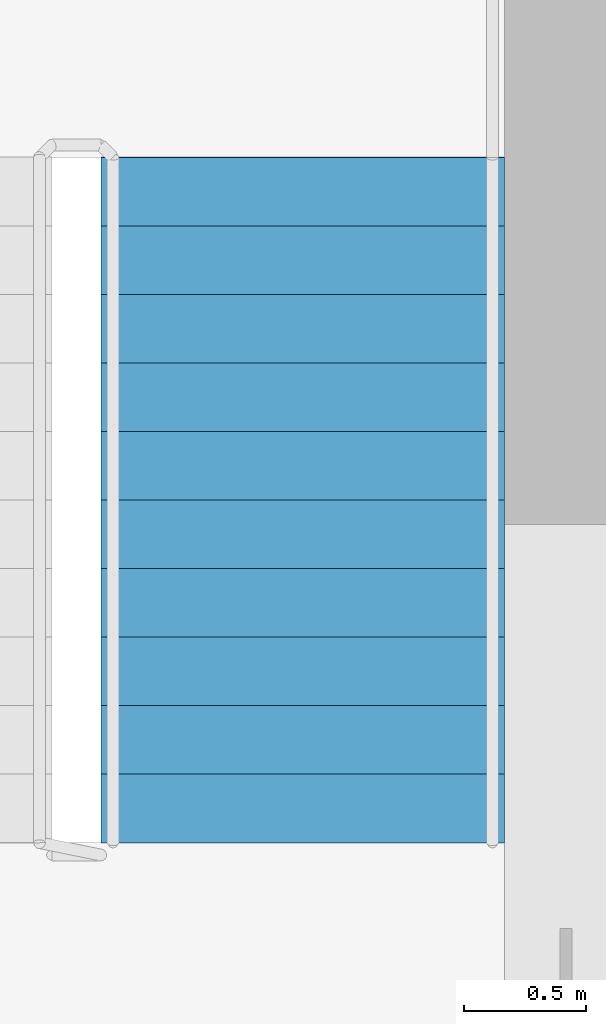
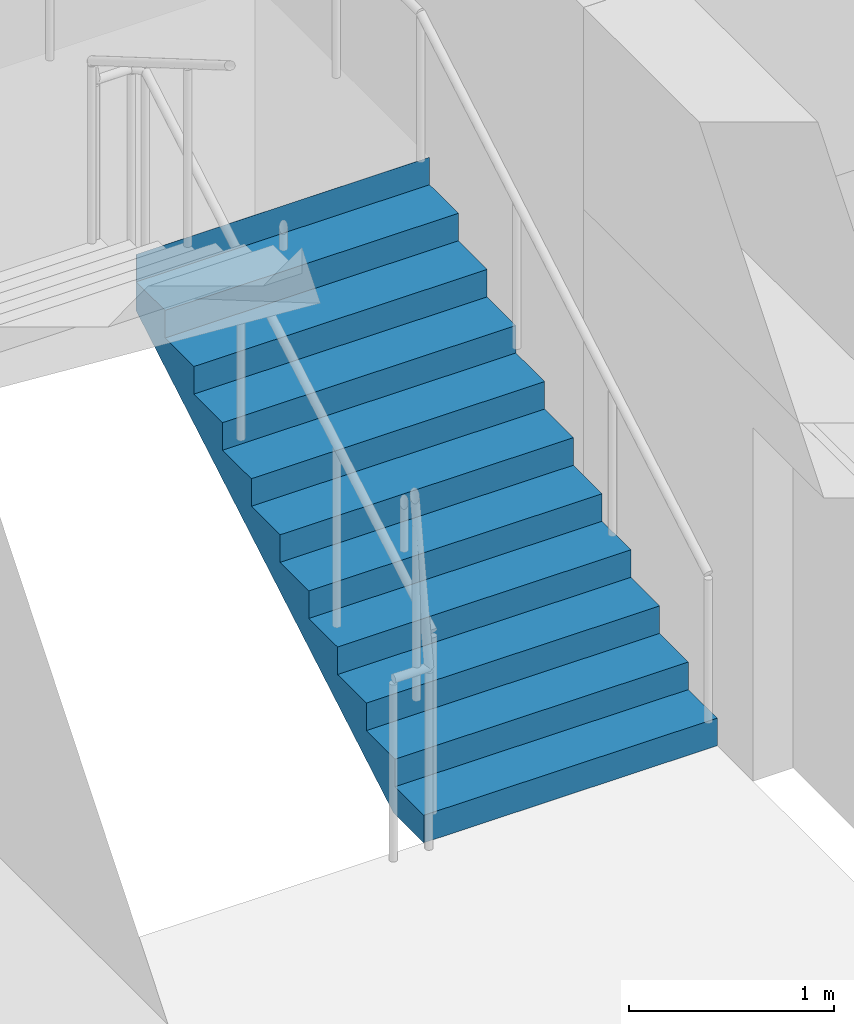
# One storey, part 13 of 14: 1 stair flight, 1 element without a shape of its own.
"""IFC4 building model written with IfcOpenShell, lengths in metres."""

from ifc_helpers import new_model, si_unit, direction, frame, origin, place, context, subcontext, project, spatial, polyline, outline, extrude, material, type_object, element, aggregate, save


model = new_model("IFC4")

# Units and contexts
model_context = context("Model", 3, precision=1e-05, world=origin(), true_north=direction((0.0, 1.0)))
body_context = subcontext(model_context, "Body", "Model", "MODEL_VIEW")
ifc_project = project(units=[si_unit("LENGTHUNIT", "METRE"), si_unit("AREAUNIT", "SQUARE_METRE"), si_unit("VOLUMEUNIT", "CUBIC_METRE"), si_unit("PLANEANGLEUNIT", "RADIAN"), si_unit("MASSUNIT", "GRAM", prefix="KILO")], contexts=[model_context])

# Site, building, storey
site_placement = place(None, origin())
site = spatial("IfcSite", under=ifc_project, at=site_placement, CompositionType="ELEMENT")
building_placement = place(site_placement, origin())
building = spatial("IfcBuilding", under=site, at=building_placement, Name="Tamorin Gate", CompositionType="ELEMENT")
storey_placement = place(building_placement, frame((0.0, 0.0, 66.39990234375)))
storey = spatial("IfcBuildingStorey", under=building, at=storey_placement, Name="L15", CompositionType="ELEMENT", Elevation=66.39990234375)

# Stair, stair flight
ifc_material = material(Name="Concrete C40/50", Category="concrete")
stair_type = type_object("IfcStairType", Name="Exit stair", PredefinedType="HALF_TURN_STAIR", material=ifc_material)
stair_placement = place(storey_placement, origin())
stair = element("IfcStair", 1, at=stair_placement, inside=storey, type_object=stair_type, Name="L15 stair ST2", PredefinedType="HALF_TURN_STAIR")
stair_flight_type = type_object("IfcStairFlightType", Name="Exit stair flight", PredefinedType="STRAIGHT", material=ifc_material)
stair_flight_placement = place(storey_placement, frame((33.675048828125, 77.0, 0.0), z_axis=(0.0, 0.0, 1.0), x_axis=(0.0, 1.0, 0.0)))
stair_flight = element("IfcStairFlight", 2, at=stair_flight_placement, type_object=stair_flight_type, Name="ST2 flight 1", NumberOfRisers=11, NumberOfTreads=10, PredefinedType="STRAIGHT", RiserHeight=0.163636364, TreadLength=0.28, context=body_context, shape_type="SweptSolid", body=[
    extrude(outline(polyline([(-0.00048828125, 0.0), (-0.00048828125, 0.001708984375), (-0.00048828125, 0.003173828125), (-0.00048828125, 0.0048828125), (-0.00048828125, 0.006591796875), (-0.00048828125, 0.008056640625), (-0.00048828125, 0.009765625), (-0.00048828125, 0.01123046875), (-0.00048828125, 0.012939453125), (-0.00048828125, 0.0146484375), (-0.00048828125, 0.01611328125), (-0.00048828125, 0.017822265625), (-0.00048828125, 0.01953125), (-0.00048828125, 0.02099609375), (-0.00048828125, 0.022705078125), (-0.00048828125, 0.0244140625), (-0.00048828125, 0.02587890625), (-0.00048828125, 0.027587890625), (-0.00048828125, 0.029052734375), (-0.00048828125, 0.03076171875), (-0.00048828125, 0.032470703125), (-0.00048828125, 0.033935546875), (-0.00048828125, 0.03564453125), (-0.00048828125, 0.037353515625), (-0.00048828125, 0.038818359375), (-0.00048828125, 0.04052734375), (-0.00048828125, 0.042236328125), (-0.00048828125, 0.043701171875), (-0.00048828125, 0.04541015625), (-0.00048828125, 0.046875), (-0.00048828125, 0.048583984375), (-0.00048828125, 0.05029296875), (-0.00048828125, 0.0517578125), (-0.00048828125, 0.053466796875), (-0.00048828125, 0.05517578125), (-0.00048828125, 0.056640625), (-0.00048828125, 0.058349609375), (-0.00048828125, 0.06005859375), (-0.00048828125, 0.0615234375), (-0.00048828125, 0.063232421875), (-0.00048828125, 0.064697265625), (-0.00048828125, 0.06640625), (-0.00048828125, 0.068115234375), (-0.00048828125, 0.069580078125), (-0.00048828125, 0.0712890625), (-0.00048828125, 0.072998046875), (-0.00048828125, 0.074462890625), (-0.00048828125, 0.076171875), (-0.00048828125, 0.077880859375), (-0.00048828125, 0.079345703125), (-0.00048828125, 0.0810546875), (-0.00048828125, 0.08251953125), (-0.00048828125, 0.084228515625), (-0.00048828125, 0.0859375), (-0.00048828125, 0.08740234375), (-0.00048828125, 0.089111328125), (-0.00048828125, 0.0908203125), (-0.00048828125, 0.09228515625), (-0.00048828125, 0.093994140625), (-0.00048828125, 0.095703125), (-0.00048828125, 0.09716796875), (-0.00048828125, 0.098876953125), (-0.00048828125, 0.100341796875), (-0.00048828125, 0.10205078125), (-0.00048828125, 0.103759765625), (-0.00048828125, 0.105224609375), (-0.00048828125, 0.10693359375), (-0.00048828125, 0.108642578125), (-0.00048828125, 0.110107421875), (-0.00048828125, 0.11181640625), (-0.00048828125, 0.113525390625), (-0.00048828125, 0.114990234375), (-0.00048828125, 0.11669921875), (-0.00048828125, 0.1181640625), (-0.00048828125, 0.119873046875), (-0.00048828125, 0.12158203125), (-0.00048828125, 0.123046875), (-0.00048828125, 0.124755859375), (-0.00048828125, 0.12646484375), (-0.00048828125, 0.1279296875), (-0.00048828125, 0.129638671875), (-0.00048828125, 0.13134765625), (-0.00048828125, 0.1328125), (-0.00048828125, 0.134521484375), (-0.00048828125, 0.135986328125), (-0.00048828125, 0.1376953125), (-0.00048828125, 0.139404296875), (-0.00048828125, 0.140869140625), (-0.00048828125, 0.142578125), (-0.00048828125, 0.144287109375), (-0.00048828125, 0.145751953125), (-0.00048828125, 0.1474609375), (-0.00048828125, 0.149169921875), (-0.00048828125, 0.150634765625), (-0.00048828125, 0.15234375), (-0.00048828125, 0.15380859375), (-0.00048828125, 0.155517578125), (-0.00048828125, 0.1572265625), (-0.00048828125, 0.15869140625), (-0.00048828125, 0.160400390625), (-0.00048828125, 0.162109375), (-0.00048828125, 0.16357421875), (0.280029296875, 0.16357421875), (0.280029296875, 0.327392578125), (0.56005859375, 0.327392578125), (0.56005859375, 0.490966796875), (0.840087890625, 0.490966796875), (0.840087890625, 0.654541015625), (1.1201171875, 0.654541015625), (1.1201171875, 0.818115234375), (1.39990234375, 0.818115234375), (1.39990234375, 0.98193359375), (1.679931640625, 0.98193359375), (1.679931640625, 1.1455078125), (1.9599609375, 1.1455078125), (1.9599609375, 1.30908203125), (2.239990234375, 1.30908203125), (2.239990234375, 1.47265625), (2.52001953125, 1.47265625), (2.52001953125, 1.636474609375), (2.800048828125, 1.636474609375), (2.800048828125, 1.800048828125), (2.800537109375, 1.800048828125), (2.800537109375, 1.796630859375), (2.800537109375, 1.793212890625), (2.800537109375, 1.7900390625), (2.800537109375, 1.78662109375), (2.800537109375, 1.783203125), (2.800537109375, 1.780029296875), (2.800537109375, 1.776611328125), (2.800537109375, 1.773193359375), (2.800537109375, 1.77001953125), (2.800537109375, 1.7666015625), (2.800537109375, 1.76318359375), (2.800537109375, 1.760009765625), (2.800537109375, 1.756591796875), (2.800537109375, 1.753173828125), (2.800537109375, 1.75), (2.800537109375, 1.74658203125), (2.800537109375, 1.7431640625), (2.800537109375, 1.739990234375), (2.800537109375, 1.736572265625), (2.800537109375, 1.733154296875), (2.800537109375, 1.72998046875), (2.800537109375, 1.7265625), (2.800537109375, 1.72314453125), (2.800537109375, 1.719970703125), (2.800537109375, 1.716552734375), (2.800537109375, 1.713134765625), (2.800537109375, 1.7099609375), (2.800537109375, 1.70654296875), (2.800537109375, 1.703125), (2.800537109375, 1.69970703125), (2.800537109375, 1.696533203125), (2.800537109375, 1.693115234375), (2.800537109375, 1.689697265625), (2.800537109375, 1.6865234375), (2.800537109375, 1.68310546875), (2.800537109375, 1.6796875), (2.800537109375, 1.676513671875), (2.800537109375, 1.673095703125), (2.800537109375, 1.669677734375), (2.800537109375, 1.66650390625), (2.800537109375, 1.6630859375), (2.800537109375, 1.65966796875), (2.800537109375, 1.656494140625), (2.800537109375, 1.653076171875), (2.800537109375, 1.649658203125), (2.800537109375, 1.646484375), (2.800537109375, 1.64306640625), (2.800537109375, 1.6396484375), (2.800537109375, 1.636474609375), (2.800537109375, 1.633056640625), (2.800537109375, 1.629638671875), (2.800537109375, 1.62646484375), (2.800537109375, 1.623046875), (2.800537109375, 1.61962890625), (2.800537109375, 1.616455078125), (2.800537109375, 1.613037109375), (2.800537109375, 1.609619140625), (2.800537109375, 1.6064453125), (2.800537109375, 1.60302734375), (2.800537109375, 1.599609375), (2.800537109375, 1.59619140625), (2.800537109375, 1.593017578125), (2.800537109375, 1.589599609375), (2.800537109375, 1.586181640625), (2.800537109375, 1.5830078125), (2.800537109375, 1.57958984375), (2.800537109375, 1.576171875), (2.800537109375, 1.572998046875), (2.800537109375, 1.569580078125), (2.800537109375, 1.566162109375), (2.800537109375, 1.56298828125), (2.800537109375, 1.5595703125), (2.800537109375, 1.55615234375), (2.800537109375, 1.552978515625), (2.800537109375, 1.549560546875), (2.800537109375, 1.546142578125), (2.800537109375, 1.54296875), (2.800537109375, 1.53955078125), (2.800537109375, 1.5361328125), (2.800537109375, 1.532958984375), (2.800537109375, 1.529541015625), (2.800537109375, 1.526123046875), (2.800537109375, 1.52294921875), (2.800537109375, 1.51953125), (2.800537109375, 1.51611328125), (2.800537109375, 1.512939453125), (2.800537109375, 1.509521484375), (2.800537109375, 1.506103515625), (2.800537109375, 1.5029296875), (2.800537109375, 1.49951171875), (2.800537109375, 1.49609375), (2.800537109375, 1.49267578125), (2.800537109375, 1.489501953125), (2.800537109375, 1.486083984375), (2.800537109375, 1.482666015625), (2.800537109375, 1.4794921875), (2.800537109375, 1.47607421875), (2.800537109375, 1.47265625), (2.800537109375, 1.469482421875), (2.800537109375, 1.466064453125), (2.800537109375, 1.462646484375), (2.800048828125, 1.462646484375), (0.297119140625, 0.0), (-0.00048828125, 0.0)])), frame((0.0, 0.824951171875, 0.0), z_axis=(0.0, -1.0, 0.0), x_axis=(1.0, 0.0, 0.0)), (0.0, 0.0, 1.0), 1.64990234375),
])
aggregate(stair, [stair_flight])

save(model, "model.ifc")
